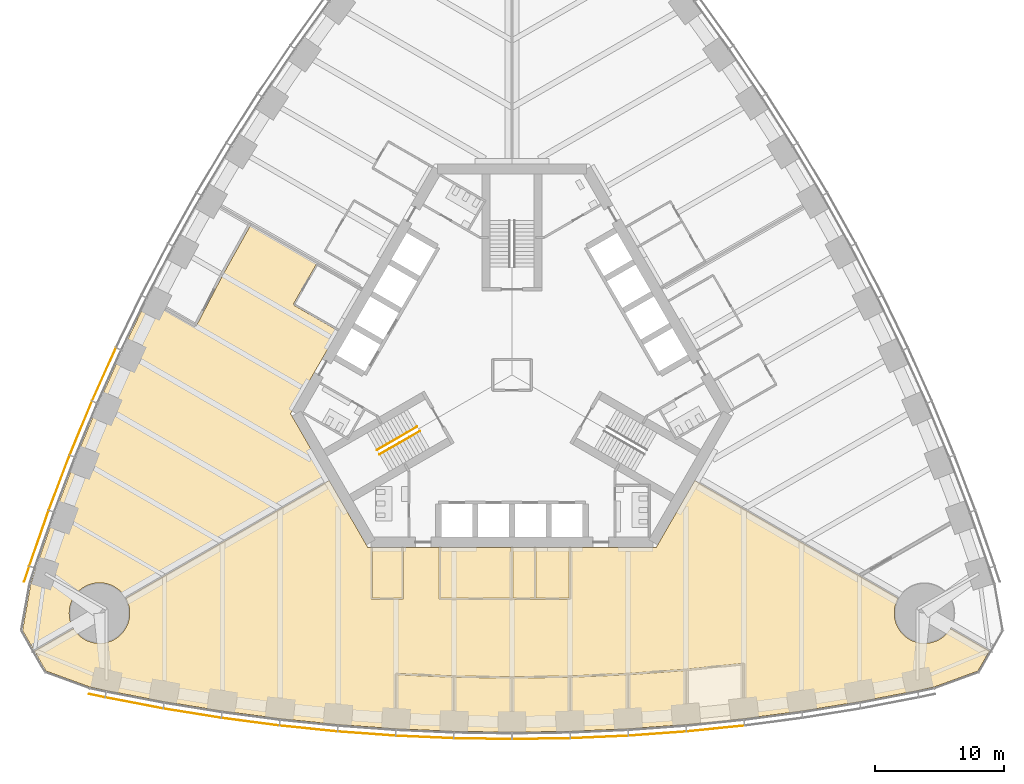
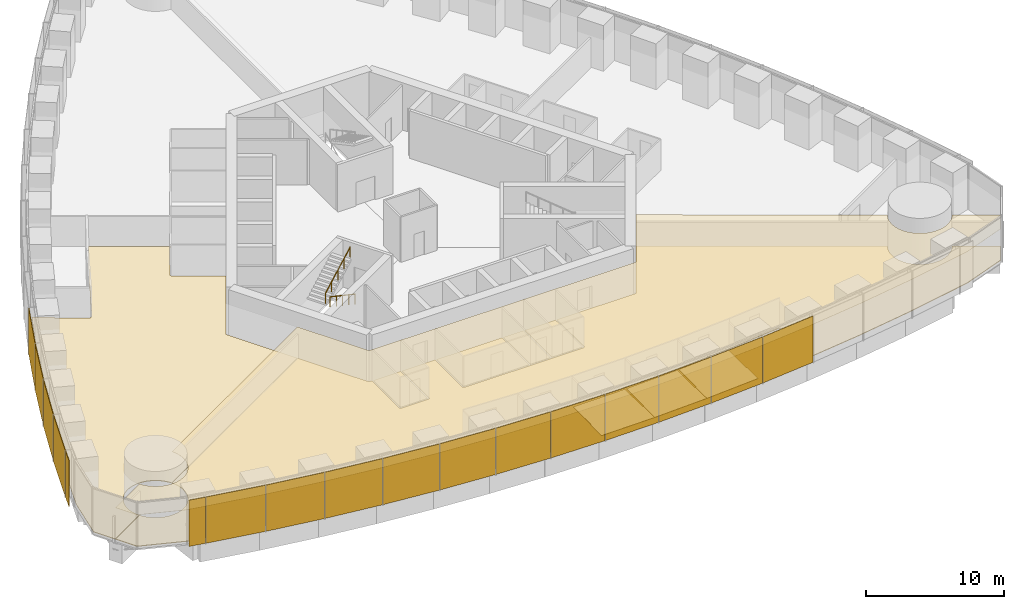
# One storey, part 14 of 18: 17 shading devices, 12 coverings, 2 railings.
"""IFC4 building model written with IfcOpenShell, lengths in metres."""

from ifc_helpers import new_model, si_unit, direction, frame, origin, origin_2d, place, context, subcontext, project, spatial, polyline, rectangle, circle, outline, extrude, material, layer, layer_set, type_object, element, save


model = new_model("IFC4")

# Units and contexts
model_context = context("Model", 3, precision=1e-05, world=origin(), true_north=direction((0.0, 1.0)))
body_context = subcontext(model_context, "Body", "Model", "MODEL_VIEW")
ifc_project = project(units=[si_unit("LENGTHUNIT", "METRE"), si_unit("AREAUNIT", "SQUARE_METRE"), si_unit("VOLUMEUNIT", "CUBIC_METRE"), si_unit("PLANEANGLEUNIT", "RADIAN"), si_unit("MASSUNIT", "GRAM", prefix="KILO")], contexts=[model_context])

# Site, building, storey
site_placement = place(None, origin())
site = spatial("IfcSite", under=ifc_project, at=site_placement, CompositionType="ELEMENT")
building_placement = place(site_placement, origin())
building = spatial("IfcBuilding", under=site, at=building_placement, Name="Trefoil Bronze Tower", CompositionType="ELEMENT")
storey_placement = place(building_placement, frame((0.0, 0.0, 71.10009765625)))
storey = spatial("IfcBuildingStorey", under=building, at=storey_placement, Name="L16", CompositionType="ELEMENT", Elevation=71.10009765625)

# Shading devices
ifc_material_1 = material(Name="Perforated bronze sheet", Category="bronze")
ifc_layer_1 = layer(ifc_material_1, 0.0400390625)
ifc_layer_set_1 = layer_set([ifc_layer_1], Name="Bronze solar screen panel")
shading_device_type = type_object("IfcShadingDeviceType", Name="Bronze solar screen panel", PredefinedType="SHUTTER", material=ifc_layer_set_1)
shading_device_1_placement = place(storey_placement, frame((-32.2431640625, -24.91064453125, 0.0498046875), z_axis=(0.0, 0.0, 1.0), x_axis=(0.978302717041, -0.207180582657, 0.0)))
element("IfcShadingDevice", 1, at=shading_device_1_placement, inside=storey, type_object=shading_device_type, Name="Solar screen CW-A L16 F1 bay 1", PredefinedType="SHUTTER", context=body_context, shape_type="SweptSolid", body=[
    extrude(rectangle(XDim=1.260498046875, YDim=0.0400390625, at=origin_2d()), origin(), (0.0, 0.0, 1.0), 4.10009765625),
])
shading_device_2_placement = place(storey_placement, frame((-29.351806640625, -25.478515625, 0.0498046875), z_axis=(0.0, 0.0, 1.0), x_axis=(0.982049823817, -0.188621694249, 0.0)))
element("IfcShadingDevice", 2, at=shading_device_2_placement, inside=storey, type_object=shading_device_type, Name="Solar screen CW-A L16 F1 bay 2", PredefinedType="SHUTTER", context=body_context, shape_type="SweptSolid", body=[
    extrude(rectangle(XDim=4.55224609375, YDim=0.0400390625, at=origin_2d()), origin(), (0.0, 0.0, 1.0), 4.10009765625),
])
shading_device_3_placement = place(storey_placement, frame((-24.836181640625, -26.277099609375, 0.0498046875), z_axis=(0.0, 0.0, 1.0), x_axis=(0.987181315145, -0.159602791421, 0.0)))
element("IfcShadingDevice", 3, at=shading_device_3_placement, inside=storey, type_object=shading_device_type, Name="Solar screen CW-A L16 F1 bay 3", PredefinedType="SHUTTER", context=body_context, shape_type="SweptSolid", body=[
    extrude(rectangle(XDim=4.5283203125, YDim=0.0400390625, at=origin_2d()), origin(), (0.0, 0.0, 1.0), 4.10009765625),
])
shading_device_4_placement = place(storey_placement, frame((-20.320556640625, -26.939697265625, 0.0498046875), z_axis=(0.0, 0.0, 1.0), x_axis=(0.991437251591, -0.130583981243, 0.0)))
element("IfcShadingDevice", 4, at=shading_device_4_placement, inside=storey, type_object=shading_device_type, Name="Solar screen CW-A L16 F1 bay 4", PredefinedType="SHUTTER", context=body_context, shape_type="SweptSolid", body=[
    extrude(rectangle(XDim=4.5087890625, YDim=0.0400390625, at=origin_2d()), origin(), (0.0, 0.0, 1.0), 4.10009765625),
])
shading_device_5_placement = place(storey_placement, frame((-15.804931640625, -27.467529296875, 0.0498046875), z_axis=(0.0, 0.0, 1.0), x_axis=(0.994828880293, -0.101565244717, 0.0)))
element("IfcShadingDevice", 5, at=shading_device_5_placement, inside=storey, type_object=shading_device_type, Name="Solar screen CW-A L16 F1 bay 5", PredefinedType="SHUTTER", context=body_context, shape_type="SweptSolid", body=[
    extrude(rectangle(XDim=4.493408203125, YDim=0.0400390625, at=origin_2d()), origin(), (0.0, 0.0, 1.0), 4.10009765625),
])
shading_device_6_placement = place(storey_placement, frame((-11.2890625, -27.8623046875, 0.0498046875), z_axis=(0.0, 0.0, 1.0), x_axis=(0.99736502647, -0.072546564177, 0.0)))
element("IfcShadingDevice", 6, at=shading_device_6_placement, inside=storey, type_object=shading_device_type, Name="Solar screen CW-A L16 F1 bay 6", PredefinedType="SHUTTER", context=body_context, shape_type="SweptSolid", body=[
    extrude(rectangle(XDim=4.48193359375, YDim=0.0400390625, at=origin_2d()), origin(), (0.0, 0.0, 1.0), 4.10009765625),
])
shading_device_7_placement = place(storey_placement, frame((-6.7734375, -28.124755859375, 0.0498046875), z_axis=(0.0, 0.0, 1.0), x_axis=(0.999052210809, -0.043527922969, 0.0)))
element("IfcShadingDevice", 7, at=shading_device_7_placement, inside=storey, type_object=shading_device_type, Name="Solar screen CW-A L16 F1 bay 7", PredefinedType="SHUTTER", context=body_context, shape_type="SweptSolid", body=[
    extrude(rectangle(XDim=4.474365234375, YDim=0.0400390625, at=origin_2d()), origin(), (0.0, 0.0, 1.0), 4.10009765625),
])
for number, where, z_axis, x_axis, name in (
    (8, (-2.2578125, -28.256103515625, 0.0498046875), (0.0, 0.0, 1.0), (0.999894734493, -0.014509305083, 0.0), "Solar screen CW-A L16 F1 bay 8"),
    (9, (2.2578125, -28.256103515625, 0.0498046875), (0.0, 0.0, 1.0), (0.999894734493, 0.014509305083, 0.0), "Solar screen CW-A L16 F1 bay 9"),
):
    element("IfcShadingDevice", number, at=place(storey_placement, frame(where, z_axis=z_axis, x_axis=x_axis)), inside=storey, type_object=shading_device_type, Name=name, PredefinedType="SHUTTER", context=body_context, shape_type="SweptSolid", body=[
        extrude(rectangle(XDim=4.470458984375, YDim=0.0400390625, at=origin_2d()), origin(), (0.0, 0.0, 1.0), 4.10009765625),
    ])
shading_device_8_placement = place(storey_placement, frame((6.7734375, -28.124755859375, 0.0498046875), z_axis=(0.0, 0.0, 1.0), x_axis=(0.999052210809, 0.043527922969, 0.0)))
element("IfcShadingDevice", 10, at=shading_device_8_placement, inside=storey, type_object=shading_device_type, Name="Solar screen CW-A L16 F1 bay 10", PredefinedType="SHUTTER", context=body_context, shape_type="SweptSolid", body=[
    extrude(rectangle(XDim=4.474365234375, YDim=0.0400390625, at=origin_2d()), origin(), (0.0, 0.0, 1.0), 4.10009765625),
])
shading_device_9_placement = place(storey_placement, frame((11.2890625, -27.8623046875, 0.0498046875), z_axis=(0.0, 0.0, 1.0), x_axis=(0.99736502647, 0.072546564177, 0.0)))
element("IfcShadingDevice", 11, at=shading_device_9_placement, inside=storey, type_object=shading_device_type, Name="Solar screen CW-A L16 F1 bay 11", PredefinedType="SHUTTER", context=body_context, shape_type="SweptSolid", body=[
    extrude(rectangle(XDim=4.48193359375, YDim=0.0400390625, at=origin_2d()), origin(), (0.0, 0.0, 1.0), 4.10009765625),
])
for number, where, z_axis, x_axis, name in (
    (12, (15.804931640625, -27.467529296875, 0.0498046875), (0.0, 0.0, 1.0), (0.994828880293, 0.101565244717, 0.0), "Solar screen CW-A L16 F1 bay 12"),
    (13, (-31.68994140625, 0.04638671875, 0.0498046875), (0.0, 0.0, 1.0), (-0.40945635808, -0.912329705111, 0.0), "Solar screen CW-A L16 F3 bay 12"),
):
    element("IfcShadingDevice", number, at=place(storey_placement, frame(where, z_axis=z_axis, x_axis=x_axis)), inside=storey, type_object=shading_device_type, Name=name, PredefinedType="SHUTTER", context=body_context, shape_type="SweptSolid", body=[
        extrude(rectangle(XDim=4.493408203125, YDim=0.0400390625, at=origin_2d()), origin(), (0.0, 0.0, 1.0), 4.10009765625),
    ])
shading_device_10_placement = place(storey_placement, frame((-33.49072265625, -4.128173828125, 0.0498046875), z_axis=(0.0, 0.0, 1.0), x_axis=(-0.382629580712, -0.923901836758, 0.0)))
element("IfcShadingDevice", 14, at=shading_device_10_placement, inside=storey, type_object=shading_device_type, Name="Solar screen CW-A L16 F3 bay 13", PredefinedType="SHUTTER", context=body_context, shape_type="SweptSolid", body=[
    extrude(rectangle(XDim=4.5087890625, YDim=0.0400390625, at=origin_2d()), origin(), (0.0, 0.0, 1.0), 4.10009765625),
])
shading_device_11_placement = place(storey_placement, frame((-35.1748046875, -8.3701171875, 0.0498046875), z_axis=(0.0, 0.0, 1.0), x_axis=(-0.355370585687, -0.934725492767, 0.0)))
element("IfcShadingDevice", 15, at=shading_device_11_placement, inside=storey, type_object=shading_device_type, Name="Solar screen CW-A L16 F3 bay 14", PredefinedType="SHUTTER", context=body_context, shape_type="SweptSolid", body=[
    extrude(rectangle(XDim=4.5283203125, YDim=0.0400390625, at=origin_2d()), origin(), (0.0, 0.0, 1.0), 4.10009765625),
])
shading_device_12_placement = place(storey_placement, frame((-36.740966796875, -12.68017578125, 0.0498046875), z_axis=(0.0, 0.0, 1.0), x_axis=(-0.327673732984, -0.944790942332, 0.0)))
element("IfcShadingDevice", 16, at=shading_device_12_placement, inside=storey, type_object=shading_device_type, Name="Solar screen CW-A L16 F3 bay 15", PredefinedType="SHUTTER", context=body_context, shape_type="SweptSolid", body=[
    extrude(rectangle(XDim=4.55224609375, YDim=0.0400390625, at=origin_2d()), origin(), (0.0, 0.0, 1.0), 4.10009765625),
])
shading_device_13_placement = place(storey_placement, frame((-37.69482421875, -15.468017578125, 0.0498046875), z_axis=(0.0, 0.0, 1.0), x_axis=(-0.309727710769, -0.950825296877, 0.0)))
element("IfcShadingDevice", 17, at=shading_device_13_placement, inside=storey, type_object=shading_device_type, Name="Solar screen CW-A L16 F3 bay 16", PredefinedType="SHUTTER", context=body_context, shape_type="SweptSolid", body=[
    extrude(rectangle(XDim=1.260498046875, YDim=0.0400390625, at=origin_2d()), origin(), (0.0, 0.0, 1.0), 4.10009765625),
])

# Railings
ifc_material_2 = material(Name="Steel handrail", Category="steel")
railing_type = type_object("IfcRailingType", Name="Handrail 900", PredefinedType="HANDRAIL", material=ifc_material_2)
railing_1_placement = place(storey_placement, frame((-7.166015625, -4.3681640625, 0.161376953125)))
element("IfcRailing", 18, at=railing_1_placement, inside=storey, type_object=railing_type, Name="Handrail ST3 flight 1 L16", PredefinedType="HANDRAIL", context=body_context, shape_type="SweptSolid", body=[
    extrude(circle(Radius=0.02392578125, at=origin_2d()), frame((0.0, 0.0, 0.8759765625), z_axis=(-0.76250339821, -0.440245697338, 0.474101564745), x_axis=(0.500012057535, -0.866018442252, 0.0)), (0.0, 0.0, 1.0), 4.088623046875),
    extrude(circle(Radius=0.02099609375, at=origin_2d()), origin(), (0.0, 0.0, 1.0), 0.851806640625),
    extrude(circle(Radius=0.02099609375, at=origin_2d()), frame((-0.779296875, -0.449951171875, 0.484619140625)), (0.0, 0.0, 1.0), 0.851806640625),
    extrude(circle(Radius=0.02099609375, at=origin_2d()), frame((-1.558837890625, -0.89990234375, 0.96923828125)), (0.0, 0.0, 1.0), 0.851806640625),
    extrude(circle(Radius=0.02099609375, at=origin_2d()), frame((-2.33837890625, -1.35009765625, 1.453857421875)), (0.0, 0.0, 1.0), 0.851806640625),
    extrude(circle(Radius=0.02099609375, at=origin_2d()), frame((-3.11767578125, -1.800048828125, 1.9384765625)), (0.0, 0.0, 1.0), 0.851806640625),
])
railing_2_placement = place(storey_placement, frame((-10.483642578125, -5.82177734375, 2.261474609375)))
element("IfcRailing", 19, at=railing_2_placement, inside=storey, type_object=railing_type, Name="Handrail ST3 flight 2 L16", PredefinedType="HANDRAIL", context=body_context, shape_type="SweptSolid", body=[
    extrude(circle(Radius=0.02392578125, at=origin_2d()), frame((0.0, 0.0, 0.8759765625), z_axis=(0.76250339821, 0.440245697338, 0.474101564745), x_axis=(-0.500012057535, 0.866018442252, 0.0)), (0.0, 0.0, 1.0), 4.088623046875),
    extrude(circle(Radius=0.02099609375, at=origin_2d()), origin(), (0.0, 0.0, 1.0), 0.851806640625),
    extrude(circle(Radius=0.02099609375, at=origin_2d()), frame((0.779296875, 0.449951171875, 0.484619140625)), (0.0, 0.0, 1.0), 0.851806640625),
    extrude(circle(Radius=0.02099609375, at=origin_2d()), frame((1.558837890625, 0.89990234375, 0.96923828125)), (0.0, 0.0, 1.0), 0.851806640625),
    extrude(circle(Radius=0.02099609375, at=origin_2d()), frame((2.33837890625, 1.35009765625, 1.453857421875)), (0.0, 0.0, 1.0), 0.851806640625),
    extrude(circle(Radius=0.02099609375, at=origin_2d()), frame((3.11767578125, 1.800048828125, 1.9384765625)), (0.0, 0.0, 1.0), 0.851806640625),
])

# Coverings
ifc_material_3 = material(Name="Acoustic ceiling panels", Category="mineral fibre")
ifc_layer_2 = layer(ifc_material_3, 0.02001953125)
ifc_layer_set_2 = layer_set([ifc_layer_2], Name="Office ceiling 20")
covering_type_1 = type_object("IfcCoveringType", Name="Office ceiling 20", PredefinedType="CEILING", material=ifc_layer_set_2)
covering_1_placement = place(storey_placement, frame((0.0, 0.0, 2.89990234375)))
element("IfcCovering", 20, at=covering_1_placement, inside=storey, type_object=covering_type_1, Name="Ceiling L16 Open-plan office F1", PredefinedType="CEILING", context=body_context, shape_type="SweptSolid", body=[
    extrude(outline(polyline([(-33.996826171875, -19.8056640625), (-33.930419921875, -19.89990234375), (-33.859619140625, -19.99072265625), (-33.7841796875, -20.078125), (-33.70458984375, -20.16162109375), (-33.62109375, -20.2412109375), (-33.53369140625, -20.316650390625), (-33.44287109375, -20.387451171875), (-33.348388671875, -20.4541015625), (-33.251220703125, -20.515625), (-33.150634765625, -20.572509765625), (-33.047607421875, -20.62451171875), (-32.942138671875, -20.671142578125), (-32.834716796875, -20.712646484375), (-32.72509765625, -20.748779296875), (-32.614013671875, -20.779541015625), (-32.50146484375, -20.8046875), (-32.3876953125, -20.82470703125), (-32.273193359375, -20.838623046875), (-32.158203125, -20.84716796875), (-32.04296875, -20.85009765625), (-31.927490234375, -20.84716796875), (-31.8125, -20.838623046875), (-31.697998046875, -20.82470703125), (-31.58447265625, -20.8046875), (-31.471923828125, -20.779541015625), (-31.36083984375, -20.748779296875), (-31.251220703125, -20.712646484375), (-31.1435546875, -20.671142578125), (-31.0380859375, -20.62451171875), (-30.935302734375, -20.572509765625), (-30.834716796875, -20.515625), (-30.7373046875, -20.4541015625), (-30.64306640625, -20.387451171875), (-30.552001953125, -20.316650390625), (-30.46484375, -20.2412109375), (-30.381103515625, -20.16162109375), (-30.3017578125, -20.078125), (-30.226318359375, -19.99072265625), (-30.155517578125, -19.89990234375), (-30.089111328125, -19.8056640625), (-30.02734375, -19.7080078125), (-29.970458984375, -19.60791015625), (-29.918701171875, -19.5048828125), (-29.871826171875, -19.3994140625), (-29.830322265625, -19.291748046875), (-29.794189453125, -19.18212890625), (-29.763427734375, -19.071044921875), (-29.738037109375, -18.95849609375), (-29.718505859375, -18.8447265625), (-29.704345703125, -18.730224609375), (-29.69580078125, -18.615234375), (-29.69287109375, -18.5), (-29.69580078125, -18.384765625), (-29.704345703125, -18.269775390625), (-29.718505859375, -18.1552734375), (-29.738037109375, -18.04150390625), (-29.763427734375, -17.928955078125), (-29.794189453125, -17.81787109375), (-29.830322265625, -17.708251953125), (-29.871826171875, -17.6005859375), (-29.918701171875, -17.4951171875), (-29.970458984375, -17.39208984375), (-30.001953125, -17.336669921875), (-14.19970703125, -8.205322265625), (-11.20068359375, -13.39990234375), (11.20068359375, -13.39990234375), (14.19970703125, -8.205322265625), (30.001953125, -17.336669921875), (29.970458984375, -17.39208984375), (29.918701171875, -17.4951171875), (29.871826171875, -17.6005859375), (29.830322265625, -17.708251953125), (29.794189453125, -17.81787109375), (29.763427734375, -17.928955078125), (29.738037109375, -18.04150390625), (29.718505859375, -18.1552734375), (29.704345703125, -18.269775390625), (29.69580078125, -18.384765625), (29.69287109375, -18.5), (29.69580078125, -18.615234375), (29.704345703125, -18.730224609375), (29.718505859375, -18.8447265625), (29.738037109375, -18.95849609375), (29.763427734375, -19.071044921875), (29.794189453125, -19.18212890625), (29.830322265625, -19.291748046875), (29.871826171875, -19.3994140625), (29.918701171875, -19.5048828125), (29.970458984375, -19.60791015625), (30.02734375, -19.7080078125), (30.089111328125, -19.8056640625), (30.155517578125, -19.89990234375), (30.226318359375, -19.99072265625), (30.3017578125, -20.078125), (30.381103515625, -20.16162109375), (30.46484375, -20.2412109375), (30.552001953125, -20.316650390625), (30.64306640625, -20.387451171875), (30.7373046875, -20.4541015625), (30.834716796875, -20.515625), (30.935302734375, -20.572509765625), (31.0380859375, -20.62451171875), (31.1435546875, -20.671142578125), (31.251220703125, -20.712646484375), (31.36083984375, -20.748779296875), (31.471923828125, -20.779541015625), (31.58447265625, -20.8046875), (31.697998046875, -20.82470703125), (31.8125, -20.838623046875), (31.927490234375, -20.84716796875), (32.04296875, -20.85009765625), (32.158203125, -20.84716796875), (32.273193359375, -20.838623046875), (32.3876953125, -20.82470703125), (32.50146484375, -20.8046875), (32.614013671875, -20.779541015625), (32.72509765625, -20.748779296875), (32.834716796875, -20.712646484375), (32.942138671875, -20.671142578125), (33.047607421875, -20.62451171875), (33.150634765625, -20.572509765625), (33.251220703125, -20.515625), (33.348388671875, -20.4541015625), (33.44287109375, -20.387451171875), (33.53369140625, -20.316650390625), (33.62109375, -20.2412109375), (33.70458984375, -20.16162109375), (33.7841796875, -20.078125), (33.859619140625, -19.99072265625), (33.930419921875, -19.89990234375), (33.996826171875, -19.8056640625), (34.0703125, -19.6875), (37.094482421875, -21.43505859375), (36.190673828125, -23.0009765625), (32.762451171875, -24.248779296875), (31.5, -24.51611328125), (27.0, -25.38037109375), (22.5, -26.10791015625), (18.0, -26.70068359375), (13.5, -27.159912109375), (9.0, -27.4873046875), (4.5, -27.683349609375), (0.0, -27.748779296875), (-4.5, -27.683349609375), (-9.0, -27.4873046875), (-13.5, -27.159912109375), (-18.0, -26.70068359375), (-22.5, -26.10791015625), (-27.0, -25.38037109375), (-31.5, -24.51611328125), (-32.762451171875, -24.248779296875), (-36.190673828125, -23.0009765625), (-37.094482421875, -21.43505859375), (-34.0703125, -19.6875), (-33.996826171875, -19.8056640625)])), origin(), (0.0, 0.0, 1.0), 0.02001953125),
])
ifc_material_4 = material(Name="Raised access floor panels", Category="steel")
ifc_layer_3 = layer(ifc_material_4, 0.050048828125)
ifc_layer_set_3 = layer_set([ifc_layer_3], Name="Raised access floor 150")
covering_type_2 = type_object("IfcCoveringType", Name="Raised access floor 150", PredefinedType="FLOORING", material=ifc_layer_set_3)
covering_2_placement = place(storey_placement, frame((0.0, 0.0, 0.099853515625)))
element("IfcCovering", 21, at=covering_2_placement, inside=storey, type_object=covering_type_2, Name="Raised floor L16 Meeting room F1", PredefinedType="FLOORING", context=body_context, shape_type="SweptSolid", body=[
    extrude(outline(polyline([(-0.06005859375, -13.39990234375), (-0.06005859375, -17.340087890625), (-5.5400390625, -17.340087890625), (-5.5400390625, -13.39990234375), (-0.06005859375, -13.39990234375)])), origin(), (0.0, 0.0, 1.0), 0.050048828125),
])
covering_3_placement = place(storey_placement, frame((0.0, 0.0, 0.099853515625)))
element("IfcCovering", 22, at=covering_3_placement, inside=storey, type_object=covering_type_2, Name="Raised floor L16 Focus room F1", PredefinedType="FLOORING", context=body_context, shape_type="SweptSolid", body=[
    extrude(outline(polyline([(1.739990234375, -13.39990234375), (1.739990234375, -17.340087890625), (0.06005859375, -17.340087890625), (0.06005859375, -13.39990234375), (1.739990234375, -13.39990234375)])), origin(), (0.0, 0.0, 1.0), 0.050048828125),
])
covering_4_placement = place(storey_placement, frame((0.0, 0.0, 0.099853515625)))
element("IfcCovering", 23, at=covering_4_placement, inside=storey, type_object=covering_type_2, Name="Raised floor L16 Pantry F1", PredefinedType="FLOORING", context=body_context, shape_type="SweptSolid", body=[
    extrude(outline(polyline([(4.43994140625, -13.39990234375), (4.43994140625, -17.340087890625), (1.860107421875, -17.340087890625), (1.860107421875, -13.39990234375), (4.43994140625, -13.39990234375)])), origin(), (0.0, 0.0, 1.0), 0.050048828125),
])
covering_5_placement = place(storey_placement, frame((0.0, 0.0, 0.099853515625)))
element("IfcCovering", 24, at=covering_5_placement, inside=storey, type_object=covering_type_2, Name="Raised floor L16 Store F1", PredefinedType="FLOORING", context=body_context, shape_type="SweptSolid", body=[
    extrude(outline(polyline([(-8.56005859375, -13.39990234375), (-8.56005859375, -17.340087890625), (-10.840087890625, -17.340087890625), (-10.840087890625, -13.39990234375), (-8.56005859375, -13.39990234375)])), origin(), (0.0, 0.0, 1.0), 0.050048828125),
])
covering_6_placement = place(storey_placement, frame((0.0, 0.0, 0.099853515625)))
element("IfcCovering", 25, at=covering_6_placement, inside=storey, type_object=covering_type_2, Name="Raised floor L16 Office F1", PredefinedType="FLOORING", context=body_context, shape_type="SweptSolid", body=[
    extrude(outline(polyline([(-4.5, -27.683349609375), (-9.0, -27.4873046875), (-9.0, -25.8544921875), (-8.93994140625, -25.8544921875), (-8.93994140625, -23.300048828125), (-4.56005859375, -23.490966796875), (-4.56005859375, -26.052734375), (-4.5, -26.052734375), (-4.5, -27.683349609375)])), origin(), (0.0, 0.0, 1.0), 0.050048828125),
])
covering_7_placement = place(storey_placement, frame((0.0, 0.0, 0.099853515625)))
element("IfcCovering", 26, at=covering_7_placement, inside=storey, type_object=covering_type_2, Name="Raised floor L16 Office F1", PredefinedType="FLOORING", context=body_context, shape_type="SweptSolid", body=[
    extrude(outline(polyline([(0.0, -27.748779296875), (-4.5, -27.683349609375), (-4.5, -26.052734375), (-4.43994140625, -26.052734375), (-4.43994140625, -23.494384765625), (-0.06005859375, -23.557861328125), (-0.06005859375, -26.11865234375), (0.0, -26.11865234375), (0.0, -27.748779296875)])), origin(), (0.0, 0.0, 1.0), 0.050048828125),
])
covering_8_placement = place(storey_placement, frame((0.0, 0.0, 0.099853515625)))
element("IfcCovering", 27, at=covering_8_placement, inside=storey, type_object=covering_type_2, Name="Raised floor L16 Office F1", PredefinedType="FLOORING", context=body_context, shape_type="SweptSolid", body=[
    extrude(outline(polyline([(4.5, -27.683349609375), (0.0, -27.748779296875), (0.0, -26.11865234375), (0.06005859375, -26.11865234375), (0.06005859375, -23.557861328125), (4.43994140625, -23.494384765625), (4.43994140625, -26.052734375), (4.5, -26.052734375), (4.5, -27.683349609375)])), origin(), (0.0, 0.0, 1.0), 0.050048828125),
])
covering_9_placement = place(storey_placement, frame((0.0, 0.0, 0.099853515625)))
element("IfcCovering", 28, at=covering_9_placement, inside=storey, type_object=covering_type_2, Name="Raised floor L16 Office F1", PredefinedType="FLOORING", context=body_context, shape_type="SweptSolid", body=[
    extrude(outline(polyline([(9.0, -27.4873046875), (4.5, -27.683349609375), (4.5, -26.052734375), (4.56005859375, -26.052734375), (4.56005859375, -23.490966796875), (8.93994140625, -23.300048828125), (8.93994140625, -25.8544921875), (9.0, -25.8544921875), (9.0, -27.4873046875)])), origin(), (0.0, 0.0, 1.0), 0.050048828125),
])
covering_10_placement = place(storey_placement, frame((0.0, 0.0, 0.099853515625)))
element("IfcCovering", 29, at=covering_10_placement, inside=storey, type_object=covering_type_2, Name="Raised floor L16 Office F1", PredefinedType="FLOORING", context=body_context, shape_type="SweptSolid", body=[
    extrude(outline(polyline([(13.5, -27.159912109375), (9.0, -27.4873046875), (9.0, -25.8544921875), (9.06005859375, -25.8544921875), (9.06005859375, -23.293212890625), (13.43994140625, -22.974609375), (13.43994140625, -25.52392578125), (13.5, -25.52392578125), (13.5, -27.159912109375)])), origin(), (0.0, 0.0, 1.0), 0.050048828125),
])
covering_11_placement = place(storey_placement, frame((0.0, 0.0, 0.099853515625)))
element("IfcCovering", 30, at=covering_11_placement, inside=storey, type_object=covering_type_2, Name="Raised floor L16 Open-plan office F1", PredefinedType="FLOORING", context=body_context, shape_type="SweptSolid", body=[
    extrude(outline(polyline([(-11.20068359375, -13.39990234375), (-10.9599609375, -13.39990234375), (-10.9599609375, -17.39990234375), (-10.89990234375, -17.39990234375), (-10.89990234375, -17.4599609375), (-8.5, -17.4599609375), (-8.5, -17.39990234375), (-8.43994140625, -17.39990234375), (-8.43994140625, -13.39990234375), (-5.659912109375, -13.39990234375), (-5.659912109375, -17.39990234375), (-5.60009765625, -17.39990234375), (-5.60009765625, -17.4599609375), (4.5, -17.4599609375), (4.5, -17.39990234375), (4.56005859375, -17.39990234375), (4.56005859375, -13.39990234375), (11.20068359375, -13.39990234375), (14.19970703125, -8.205322265625), (30.001953125, -17.336669921875), (29.970458984375, -17.39208984375), (29.918701171875, -17.4951171875), (29.871826171875, -17.6005859375), (29.830322265625, -17.708251953125), (29.794189453125, -17.81787109375), (29.763427734375, -17.928955078125), (29.738037109375, -18.04150390625), (29.718505859375, -18.1552734375), (29.704345703125, -18.269775390625), (29.69580078125, -18.384765625), (29.69287109375, -18.5), (29.69580078125, -18.615234375), (29.704345703125, -18.730224609375), (29.718505859375, -18.8447265625), (29.738037109375, -18.95849609375), (29.763427734375, -19.071044921875), (29.794189453125, -19.18212890625), (29.830322265625, -19.291748046875), (29.871826171875, -19.3994140625), (29.918701171875, -19.5048828125), (29.970458984375, -19.60791015625), (30.02734375, -19.7080078125), (30.089111328125, -19.8056640625), (30.155517578125, -19.89990234375), (30.226318359375, -19.99072265625), (30.3017578125, -20.078125), (30.381103515625, -20.16162109375), (30.46484375, -20.2412109375), (30.552001953125, -20.316650390625), (30.64306640625, -20.387451171875), (30.7373046875, -20.4541015625), (30.834716796875, -20.515625), (30.935302734375, -20.572509765625), (31.0380859375, -20.62451171875), (31.1435546875, -20.671142578125), (31.251220703125, -20.712646484375), (31.36083984375, -20.748779296875), (31.471923828125, -20.779541015625), (31.58447265625, -20.8046875), (31.697998046875, -20.82470703125), (31.8125, -20.838623046875), (31.927490234375, -20.84716796875), (32.04296875, -20.85009765625), (32.158203125, -20.84716796875), (32.273193359375, -20.838623046875), (32.3876953125, -20.82470703125), (32.50146484375, -20.8046875), (32.614013671875, -20.779541015625), (32.72509765625, -20.748779296875), (32.834716796875, -20.712646484375), (32.942138671875, -20.671142578125), (33.047607421875, -20.62451171875), (33.150634765625, -20.572509765625), (33.251220703125, -20.515625), (33.348388671875, -20.4541015625), (33.44287109375, -20.387451171875), (33.53369140625, -20.316650390625), (33.62109375, -20.2412109375), (33.70458984375, -20.16162109375), (33.7841796875, -20.078125), (33.859619140625, -19.99072265625), (33.930419921875, -19.89990234375), (33.996826171875, -19.8056640625), (34.0703125, -19.6875), (37.094482421875, -21.43505859375), (36.190673828125, -23.0009765625), (32.762451171875, -24.248779296875), (31.5, -24.51611328125), (27.0, -25.38037109375), (22.5, -26.10791015625), (18.0, -26.70068359375), (18.0, -25.0595703125), (18.06005859375, -25.0595703125), (18.06005859375, -22.45068359375), (18.0, -22.45068359375), (17.993896484375, -22.390869140625), (13.494873046875, -22.850341796875), (8.99658203125, -23.177490234375), (4.498291015625, -23.373291015625), (0.0, -23.438720703125), (-4.498291015625, -23.373291015625), (-8.997314453125, -23.177490234375), (-9.0, -23.2373046875), (-9.06005859375, -23.2373046875), (-9.06005859375, -25.8544921875), (-9.0, -25.8544921875), (-9.0, -27.4873046875), (-13.5, -27.159912109375), (-18.0, -26.70068359375), (-22.5, -26.10791015625), (-27.0, -25.38037109375), (-31.5, -24.51611328125), (-32.762451171875, -24.248779296875), (-36.190673828125, -23.0009765625), (-37.094482421875, -21.43505859375), (-34.0703125, -19.6875), (-33.996826171875, -19.8056640625), (-33.930419921875, -19.89990234375), (-33.859619140625, -19.99072265625), (-33.7841796875, -20.078125), (-33.70458984375, -20.16162109375), (-33.62109375, -20.2412109375), (-33.53369140625, -20.316650390625), (-33.44287109375, -20.387451171875), (-33.348388671875, -20.4541015625), (-33.251220703125, -20.515625), (-33.150634765625, -20.572509765625), (-33.047607421875, -20.62451171875), (-32.942138671875, -20.671142578125), (-32.834716796875, -20.712646484375), (-32.72509765625, -20.748779296875), (-32.614013671875, -20.779541015625), (-32.50146484375, -20.8046875), (-32.3876953125, -20.82470703125), (-32.273193359375, -20.838623046875), (-32.158203125, -20.84716796875), (-32.04296875, -20.85009765625), (-31.927490234375, -20.84716796875), (-31.8125, -20.838623046875), (-31.697998046875, -20.82470703125), (-31.58447265625, -20.8046875), (-31.471923828125, -20.779541015625), (-31.36083984375, -20.748779296875), (-31.251220703125, -20.712646484375), (-31.1435546875, -20.671142578125), (-31.0380859375, -20.62451171875), (-30.935302734375, -20.572509765625), (-30.834716796875, -20.515625), (-30.7373046875, -20.4541015625), (-30.64306640625, -20.387451171875), (-30.552001953125, -20.316650390625), (-30.46484375, -20.2412109375), (-30.381103515625, -20.16162109375), (-30.3017578125, -20.078125), (-30.226318359375, -19.99072265625), (-30.155517578125, -19.89990234375), (-30.089111328125, -19.8056640625), (-30.02734375, -19.7080078125), (-29.970458984375, -19.60791015625), (-29.918701171875, -19.5048828125), (-29.871826171875, -19.3994140625), (-29.830322265625, -19.291748046875), (-29.794189453125, -19.18212890625), (-29.763427734375, -19.071044921875), (-29.738037109375, -18.95849609375), (-29.718505859375, -18.8447265625), (-29.704345703125, -18.730224609375), (-29.69580078125, -18.615234375), (-29.69287109375, -18.5), (-29.69580078125, -18.384765625), (-29.704345703125, -18.269775390625), (-29.718505859375, -18.1552734375), (-29.738037109375, -18.04150390625), (-29.763427734375, -17.928955078125), (-29.794189453125, -17.81787109375), (-29.830322265625, -17.708251953125), (-29.871826171875, -17.6005859375), (-29.918701171875, -17.4951171875), (-29.970458984375, -17.39208984375), (-30.001953125, -17.336669921875), (-14.19970703125, -8.205322265625), (-11.20068359375, -13.39990234375)])), origin(), (0.0, 0.0, 1.0), 0.050048828125),
])
covering_12_placement = place(storey_placement, frame((0.0, 0.0, 0.099853515625)))
element("IfcCovering", 31, at=covering_12_placement, inside=storey, type_object=covering_type_2, Name="Raised floor L16 Open-plan office F3", PredefinedType="FLOORING", context=body_context, shape_type="SweptSolid", body=[
    extrude(outline(polyline([(-33.860107421875, -6.431640625), (-32.123291015625, -2.23828125), (-30.271240234375, 1.888671875), (-28.3046875, 5.949462890625), (-26.890869140625, 5.133056640625), (-26.94091796875, 5.04638671875), (-24.674072265625, 3.73779296875), (-24.6240234375, 3.824462890625), (-24.535400390625, 3.7783203125), (-22.455810546875, 7.772216796875), (-20.30029296875, 11.6337890625), (-15.106201171875, 8.635009765625), (-15.13134765625, 8.591796875), (-15.183349609375, 8.62158203125), (-16.9833984375, 5.504150390625), (-16.931396484375, 5.47412109375), (-16.961181640625, 5.422119140625), (-13.497314453125, 3.422119140625), (-17.205078125, -3.0), (-14.205810546875, -8.194580078125), (-30.0146484375, -17.31396484375), (-30.02734375, -17.2919921875), (-30.089111328125, -17.1943359375), (-30.155517578125, -17.10009765625), (-30.226318359375, -17.00927734375), (-30.3017578125, -16.921875), (-30.381103515625, -16.83837890625), (-30.46484375, -16.7587890625), (-30.552001953125, -16.683349609375), (-30.64306640625, -16.612548828125), (-30.7373046875, -16.5458984375), (-30.834716796875, -16.484375), (-30.935302734375, -16.427490234375), (-31.0380859375, -16.37548828125), (-31.1435546875, -16.328857421875), (-31.251220703125, -16.287353515625), (-31.36083984375, -16.251220703125), (-31.471923828125, -16.220458984375), (-31.58447265625, -16.1953125), (-31.697998046875, -16.17529296875), (-31.8125, -16.161376953125), (-31.927490234375, -16.15283203125), (-32.04296875, -16.14990234375), (-32.158203125, -16.15283203125), (-32.273193359375, -16.161376953125), (-32.3876953125, -16.17529296875), (-32.50146484375, -16.1953125), (-32.614013671875, -16.220458984375), (-32.72509765625, -16.251220703125), (-32.834716796875, -16.287353515625), (-32.942138671875, -16.328857421875), (-33.047607421875, -16.37548828125), (-33.150634765625, -16.427490234375), (-33.251220703125, -16.484375), (-33.348388671875, -16.5458984375), (-33.44287109375, -16.612548828125), (-33.53369140625, -16.683349609375), (-33.62109375, -16.7587890625), (-33.70458984375, -16.83837890625), (-33.7841796875, -16.921875), (-33.859619140625, -17.00927734375), (-33.930419921875, -17.10009765625), (-33.996826171875, -17.1943359375), (-34.05859375, -17.2919921875), (-34.115478515625, -17.39208984375), (-34.167236328125, -17.4951171875), (-34.214111328125, -17.6005859375), (-34.255615234375, -17.708251953125), (-34.291748046875, -17.81787109375), (-34.322509765625, -17.928955078125), (-34.347900390625, -18.04150390625), (-34.367431640625, -18.1552734375), (-34.381591796875, -18.269775390625), (-34.39013671875, -18.384765625), (-34.392822265625, -18.5), (-34.39013671875, -18.615234375), (-34.381591796875, -18.730224609375), (-34.367431640625, -18.8447265625), (-34.347900390625, -18.95849609375), (-34.322509765625, -19.071044921875), (-34.291748046875, -19.18212890625), (-34.255615234375, -19.291748046875), (-34.214111328125, -19.3994140625), (-34.167236328125, -19.5048828125), (-34.115478515625, -19.60791015625), (-34.084716796875, -19.661865234375), (-37.110595703125, -21.4072265625), (-38.0146484375, -19.841552734375), (-37.381103515625, -16.248779296875), (-36.9814453125, -15.021728515625), (-35.47998046875, -10.6923828125), (-33.860107421875, -6.431640625)])), origin(), (0.0, 0.0, 1.0), 0.050048828125),
])

save(model, "model.ifc")
